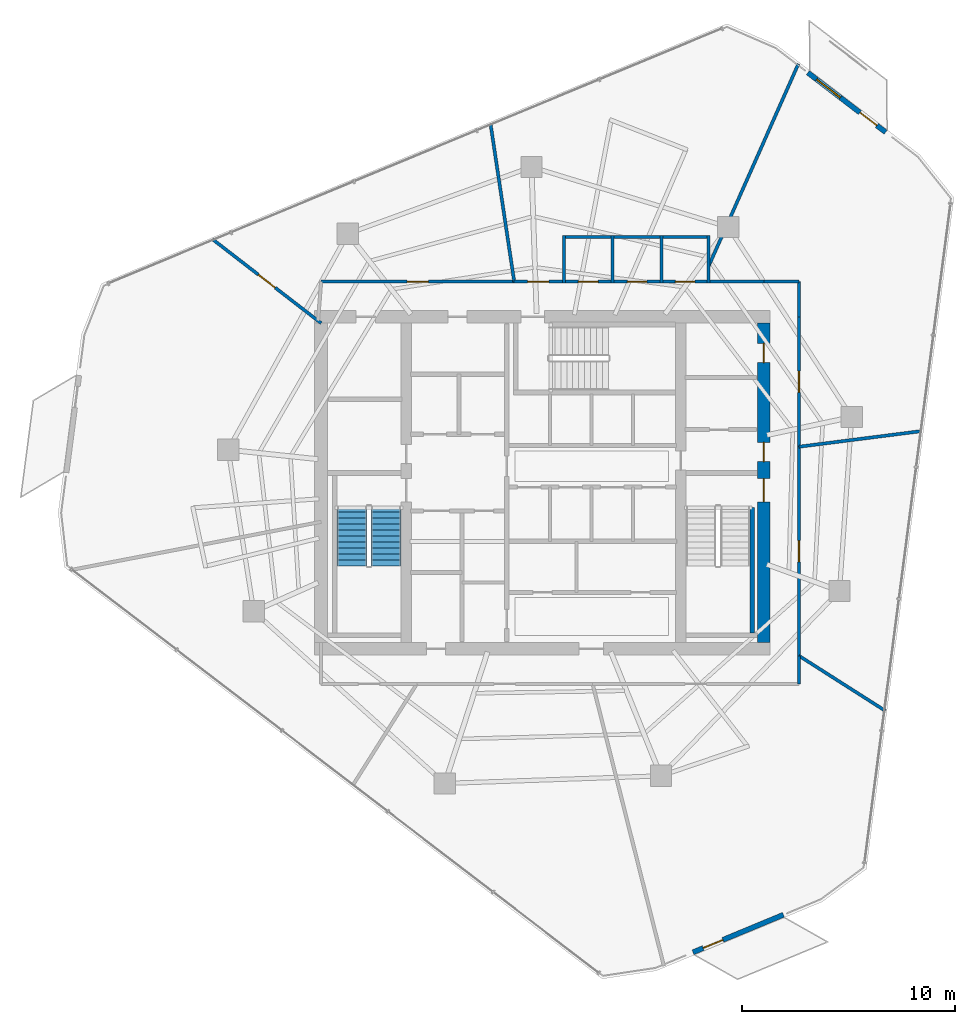
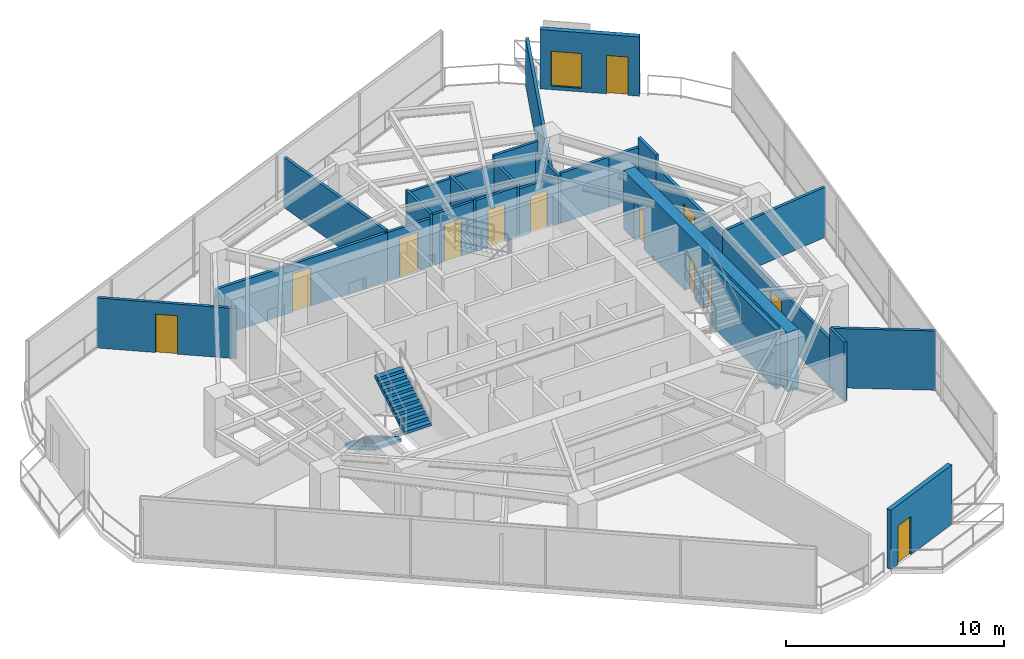
# One storey, part 17 of 20: 27 walls, 13 doors, 2 stair flights, 1 window, 14 openings, 1 element without a shape of its own.
"""IFC4 building model written with IfcOpenShell, lengths in metres."""

from ifc_helpers import new_model, si_unit, direction, frame, frame_2d, origin, place, context, subcontext, project, spatial, polyline, rectangle, outline, extrude, material, layer, layer_set, type_object, element, fill, aggregate, save


model = new_model("IFC4")

# Units and contexts
model_context = context("Model", 3, precision=1e-05, world=origin(), true_north=direction((0.0, 1.0)))
body_context = subcontext(model_context, "Body", "Model", "MODEL_VIEW")
ifc_project = project(units=[si_unit("LENGTHUNIT", "METRE"), si_unit("AREAUNIT", "SQUARE_METRE"), si_unit("VOLUMEUNIT", "CUBIC_METRE"), si_unit("PLANEANGLEUNIT", "RADIAN"), si_unit("MASSUNIT", "GRAM", prefix="KILO")], contexts=[model_context])

# Site, building, storey
site_placement = place(None, origin())
site = spatial("IfcSite", under=ifc_project, at=site_placement, CompositionType="ELEMENT")
building_placement = place(site_placement, origin())
building = spatial("IfcBuilding", under=site, at=building_placement, Name="Qarnah Convention Tower", CompositionType="ELEMENT")
storey_placement = place(building_placement, frame((0.0, 0.0, 150.89990234375)))
storey = spatial("IfcBuildingStorey", under=building, at=storey_placement, Name="L40", CompositionType="ELEMENT", Elevation=150.89990234375)

# Wall, openings, doors
ifc_material_1 = material(Name="Concrete C60/75", Category="concrete")
ifc_layer_1 = layer(ifc_material_1, 0.60009765625)
ifc_layer_set_1 = layer_set([ifc_layer_1], Name="Concrete C60/75")
wall_type_1 = type_object("IfcWallType", Name="WL-CORE-600", PredefinedType="SHEAR", material=ifc_layer_set_1)
wall_1_placement = place(storey_placement, frame((47.60009765625, 18.89990234375, 0.0), z_axis=(0.0, 0.0, 1.0), x_axis=(0.0, 1.0, 0.0)))
wall_1 = element("IfcWall", 1, at=wall_1_placement, inside=storey, type_object=wall_type_1, Name="L40 core east shear wall", PredefinedType="SHEAR", context=body_context, shape_type="SweptSolid", body=[
    extrude(rectangle(XDim=15.0, YDim=0.60009765625, at=frame_2d((7.5, 0.0))), origin(), (0.0, 0.0, 1.0), 3.320068359375),
])
opening_1_placement = place(wall_1_placement, frame((6.60009765625, 0.0, 0.0)))
opening_1 = element("IfcOpeningElement", 2, at=opening_1_placement, cuts=wall_1, Name="Opening D-4002", PredefinedType="OPENING", context=body_context, shape_type="SweptSolid", body=[
    extrude(rectangle(XDim=1.10009765625, YDim=2.14990234375, at=frame_2d((0.550048828125, 1.074951171875))), frame((0.0, 0.31005859375, 0.0), z_axis=(0.0, -1.0, 0.0), x_axis=(1.0, 0.0, 0.0)), (0.0, 0.0, 1.0), 0.6201171875),
])
opening_2_placement = place(wall_1_placement, frame((8.5, 0.0, 0.0)))
opening_2 = element("IfcOpeningElement", 3, at=opening_2_placement, cuts=wall_1, Name="Opening D-4006", PredefinedType="OPENING", context=body_context, shape_type="SweptSolid", body=[
    extrude(rectangle(XDim=0.89990234375, YDim=2.10009765625, at=frame_2d((0.449951171875, 1.050048828125))), frame((0.0, 0.31005859375, 0.0), z_axis=(0.0, -1.0, 0.0), x_axis=(1.0, 0.0, 0.0)), (0.0, 0.0, 1.0), 0.6201171875),
])
opening_3_placement = place(wall_1_placement, frame((13.14990234375, 0.0, 0.0)))
opening_3 = element("IfcOpeningElement", 4, at=opening_3_placement, cuts=wall_1, Name="Opening D-4012", PredefinedType="OPENING", context=body_context, shape_type="SweptSolid", body=[
    extrude(rectangle(XDim=0.89990234375, YDim=2.10009765625, at=frame_2d((0.449951171875, 1.050048828125))), frame((0.0, 0.31005859375, 0.0), z_axis=(0.0, -1.0, 0.0), x_axis=(1.0, 0.0, 0.0)), (0.0, 0.0, 1.0), 0.6201171875),
])
ifc_material_2 = material(Name="Structural steel S355JR", Category="steel")
door_type_1 = type_object("IfcDoorType", Name="DT-RISER-900", OperationType="NOTDEFINED", PredefinedType="DOOR", material=ifc_material_2)
door_1_placement = place(opening_2_placement, origin())
door_1 = element("IfcDoor", 5, at=door_1_placement, inside=storey, type_object=door_type_1, Name="Door D-4006", OperationType="SINGLE_SWING_LEFT", OverallHeight=2.10009765625, OverallWidth=0.89990234375, PredefinedType="DOOR", context=body_context, shape_type="SweptSolid", body=[
    extrude(rectangle(XDim=0.89990234375, YDim=2.10009765625, at=frame_2d((0.449951171875, 1.050048828125))), frame((0.0, 0.02490234375, 0.0), z_axis=(0.0, -1.0, 0.0), x_axis=(1.0, 0.0, 0.0)), (0.0, 0.0, 1.0), 0.050048828125),
])
fill(opening_2, door_1)
door_2_placement = place(opening_3_placement, origin())
door_2 = element("IfcDoor", 6, at=door_2_placement, inside=storey, type_object=door_type_1, Name="Door D-4012", OperationType="SINGLE_SWING_LEFT", OverallHeight=2.10009765625, OverallWidth=0.89990234375, PredefinedType="DOOR", context=body_context, shape_type="SweptSolid", body=[
    extrude(rectangle(XDim=0.89990234375, YDim=2.10009765625, at=frame_2d((0.449951171875, 1.050048828125))), frame((0.0, 0.02490234375, 0.0), z_axis=(0.0, -1.0, 0.0), x_axis=(1.0, 0.0, 0.0)), (0.0, 0.0, 1.0), 0.050048828125),
])
fill(opening_3, door_2)
door_type_2 = type_object("IfcDoorType", Name="DT-STAIR-1100", OperationType="NOTDEFINED", PredefinedType="DOOR", material=ifc_material_2)
door_3_placement = place(opening_1_placement, origin())
door_3 = element("IfcDoor", 7, at=door_3_placement, inside=storey, type_object=door_type_2, Name="Door D-4002", OperationType="SINGLE_SWING_LEFT", OverallHeight=2.14990234375, OverallWidth=1.10009765625, PredefinedType="DOOR", context=body_context, shape_type="SweptSolid", body=[
    extrude(rectangle(XDim=1.10009765625, YDim=2.14990234375, at=frame_2d((0.550048828125, 1.074951171875))), frame((0.0, 0.02490234375, 0.0), z_axis=(0.0, -1.0, 0.0), x_axis=(1.0, 0.0, 0.0)), (0.0, 0.0, 1.0), 0.050048828125),
])
fill(opening_1, door_3)

# Wall
ifc_layer_2 = layer(ifc_material_1, 0.219970703125)
ifc_layer_set_2 = layer_set([ifc_layer_2], Name="Concrete C60/75")
wall_type_2 = type_object("IfcWallType", Name="WL-CORE-STAIR-220", PredefinedType="SHEAR", material=ifc_layer_set_2)
wall_2_placement = place(storey_placement, frame((47.06005859375, 19.35009765625, 0.0), z_axis=(0.0, 0.0, 1.0), x_axis=(0.0, 1.0, 0.0)))
element("IfcWall", 8, at=wall_2_placement, inside=storey, type_object=wall_type_2, Name="L40 stair shaft shear wall SW-L40-ST2E", PredefinedType="SHEAR", context=body_context, shape_type="SweptSolid", body=[
    extrude(rectangle(XDim=5.89990234375, YDim=0.219970703125, at=frame_2d((2.949951171875, 0.0))), origin(), (0.0, 0.0, 1.0), 3.320068359375),
])

# Wall, openings, door, window
ifc_material_3 = material(Name="Precast concrete C45/55", Category="concrete")
ifc_layer_3 = layer(ifc_material_3, 0.239990234375)
ifc_layer_set_3 = layer_set([ifc_layer_3], Name="Precast concrete C45/55")
wall_type_3 = type_object("IfcWallType", Name="WL-EXT-BAL-240", PredefinedType="SOLIDWALL", material=ifc_layer_set_3)
wall_3_placement = place(storey_placement, frame((49.6669921875, 45.6669921875, 0.0), z_axis=(0.0, 0.0, 1.0), x_axis=(0.7940067552, -0.607908934543, 0.0)))
wall_3 = element("IfcWall", 9, at=wall_3_placement, inside=storey, type_object=wall_type_3, Name="L40 loggia threshold wall BAL-L40-C1", PredefinedType="SOLIDWALL", context=body_context, shape_type="SweptSolid", body=[
    extrude(rectangle(XDim=4.600830078125, YDim=0.239990234375, at=frame_2d((2.30029296875, 0.0))), origin(), (0.0, 0.0, 1.0), 3.320068359375),
])
opening_4_placement = place(wall_3_placement, frame((3.0810546875, 0.0, 0.0)))
opening_4 = element("IfcOpeningElement", 10, at=opening_4_placement, cuts=wall_3, Name="Opening BD-4001", PredefinedType="OPENING", context=body_context, shape_type="SweptSolid", body=[
    extrude(rectangle(XDim=1.0, YDim=2.14990234375, at=frame_2d((0.5, 1.074951171875))), frame((0.0, 0.1298828125, 0.0), z_axis=(0.0, -1.0, 0.0), x_axis=(1.0, 0.0, 0.0)), (0.0, 0.0, 1.0), 0.260009765625),
])
opening_5_placement = place(wall_3_placement, frame((0.52001953125, 0.0, 0.199951171875)))
opening_5 = element("IfcOpeningElement", 11, at=opening_5_placement, cuts=wall_3, Name="Opening WN4", PredefinedType="OPENING", context=body_context, shape_type="SweptSolid", body=[
    extrude(rectangle(XDim=1.39990234375, YDim=1.949951171875, at=frame_2d((0.699951171875, 0.97509765625))), frame((0.0, 0.1298828125, 0.0), z_axis=(0.0, -1.0, 0.0), x_axis=(1.0, 0.0, 0.0)), (0.0, 0.0, 1.0), 0.260009765625),
])
ifc_material_4 = material(Name="Black anodised aluminium", Category="aluminium")
door_type_3 = type_object("IfcDoorType", Name="DT-BAL-1000", OperationType="NOTDEFINED", PredefinedType="DOOR", material=ifc_material_4)
door_4_placement = place(opening_4_placement, origin())
door_4 = element("IfcDoor", 12, at=door_4_placement, inside=storey, type_object=door_type_3, Name="L40 balcony terrace door BAL-L40-C1", OperationType="SINGLE_SWING_LEFT", OverallHeight=2.14990234375, OverallWidth=1.0, PredefinedType="DOOR", context=body_context, shape_type="SweptSolid", body=[
    extrude(rectangle(XDim=1.0, YDim=2.14990234375, at=frame_2d((0.5, 1.074951171875))), frame((0.0, 0.02490234375, 0.0), z_axis=(0.0, -1.0, 0.0), x_axis=(1.0, 0.0, 0.0)), (0.0, 0.0, 1.0), 0.050048828125),
])
fill(opening_4, door_4)
ifc_material_5 = material(Name="Tempered Low-E dark glass", Category="glass")
window_type = type_object("IfcWindowType", Name="WT-BAL-1400X2000", PartitioningType="SINGLE_PANEL", PredefinedType="WINDOW", material=ifc_material_5)
window_placement = place(opening_5_placement, origin())
window = element("IfcWindow", 13, at=window_placement, inside=storey, type_object=window_type, Name="Window BW-BAL-L40-C1", OverallHeight=1.949951171875, OverallWidth=1.39990234375, PartitioningType="SINGLE_PANEL", PredefinedType="WINDOW", context=body_context, shape_type="SweptSolid", body=[
    extrude(rectangle(XDim=1.39990234375, YDim=1.949951171875, at=frame_2d((0.699951171875, 0.97509765625))), frame((0.0, 0.030029296875, 0.0), z_axis=(0.0, -1.0, 0.0), x_axis=(1.0, 0.0, 0.0)), (0.0, 0.0, 1.0), 0.06005859375),
])
fill(opening_5, window)

# Wall, opening, door
wall_4_placement = place(storey_placement, frame((48.51904296875, 6.10595703125, 0.0), z_axis=(0.0, 0.0, 1.0), x_axis=(-0.92354733211, -0.383484452557, 0.0)))
wall_4 = element("IfcWall", 14, at=wall_4_placement, inside=storey, type_object=wall_type_3, Name="L40 loggia threshold wall BAL-L40-C3", PredefinedType="SOLIDWALL", context=body_context, shape_type="SweptSolid", body=[
    extrude(rectangle(XDim=4.599609375, YDim=0.239990234375, at=frame_2d((2.2998046875, 0.0))), origin(), (0.0, 0.0, 1.0), 3.320068359375),
])
opening_6_placement = place(wall_4_placement, frame((3.080078125, 0.0, 0.0)))
opening_6 = element("IfcOpeningElement", 15, at=opening_6_placement, cuts=wall_4, Name="Opening BD-4003", PredefinedType="OPENING", context=body_context, shape_type="SweptSolid", body=[
    extrude(rectangle(XDim=1.0, YDim=2.14990234375, at=frame_2d((0.5, 1.074951171875))), frame((0.0, 0.1298828125, 0.0), z_axis=(0.0, -1.0, 0.0), x_axis=(1.0, 0.0, 0.0)), (0.0, 0.0, 1.0), 0.260009765625),
])
door_5_placement = place(opening_6_placement, origin())
door_5 = element("IfcDoor", 16, at=door_5_placement, inside=storey, type_object=door_type_3, Name="L40 balcony terrace door BAL-L40-C3", OperationType="SINGLE_SWING_LEFT", OverallHeight=2.14990234375, OverallWidth=1.0, PredefinedType="DOOR", context=body_context, shape_type="SweptSolid", body=[
    extrude(rectangle(XDim=1.0, YDim=2.14990234375, at=frame_2d((0.5, 1.074951171875))), frame((0.0, 0.02490234375, 0.0), z_axis=(0.0, -1.0, 0.0), x_axis=(1.0, 0.0, 0.0)), (0.0, 0.0, 1.0), 0.050048828125),
])
fill(opening_6, door_5)

# Walls
ifc_material_6 = material(Name="Gypsum partition board")
ifc_layer_4 = layer(ifc_material_6, 0.14990234375)
ifc_layer_set_4 = layer_set([ifc_layer_4], Name="Gypsum partition board")
wall_type_4 = type_object("IfcWallType", Name="WL-SUITE-150", PredefinedType="PARTITIONING", material=ifc_layer_set_4)
wall_5_placement = place(storey_placement, frame((49.222900390625, 46.0830078125, 0.0), z_axis=(0.0, 0.0, 1.0), x_axis=(-0.405479321108, -0.914104217337, 0.0)))
element("IfcWall", 17, at=wall_5_placement, inside=storey, type_object=wall_type_4, Name="L40 interior wall IW-L40-R-11", PredefinedType="PARTITIONING", context=body_context, shape_type="SweptSolid", body=[
    extrude(rectangle(XDim=10.41455078125, YDim=0.14990234375, at=frame_2d((5.207275390625, 0.0))), origin(), (0.0, 0.0, 1.0), 2.68701171875),
])
wall_6_placement = place(storey_placement, frame((45.070068359375, 35.85009765625, 0.0), z_axis=(0.0, 0.0, 1.0), x_axis=(1.0, 0.0, 0.0)))
element("IfcWall", 18, at=wall_6_placement, inside=storey, type_object=wall_type_4, Name="L40 interior wall IW-L40-R-12", PredefinedType="PARTITIONING", context=body_context, shape_type="SweptSolid", body=[
    extrude(rectangle(XDim=2.530029296875, YDim=0.14990234375, at=frame_2d((1.26513671875, 0.0))), origin(), (0.0, 0.0, 1.0), 2.80517578125),
])
wall_7_placement = place(storey_placement, frame((47.60009765625, 35.85009765625, 0.0), z_axis=(0.0, 0.0, 1.0), x_axis=(1.0, 0.0, 0.0)))
element("IfcWall", 19, at=wall_7_placement, inside=storey, type_object=wall_type_4, Name="L40 interior wall IW-L40-R-13", PredefinedType="PARTITIONING", context=body_context, shape_type="SweptSolid", body=[
    extrude(rectangle(XDim=1.64990234375, YDim=0.14990234375, at=frame_2d((0.824951171875, 0.0))), origin(), (0.0, 0.0, 1.0), 2.80517578125),
])
wall_8_placement = place(storey_placement, frame((49.25, 35.85009765625, 0.0), z_axis=(0.0, 0.0, 1.0), x_axis=(0.0, -1.0, 0.0)))
element("IfcWall", 20, at=wall_8_placement, inside=storey, type_object=wall_type_4, Name="L40 interior wall IW-L40-R-14", PredefinedType="PARTITIONING", context=body_context, shape_type="SweptSolid", body=[
    extrude(rectangle(XDim=1.650146484375, YDim=0.14990234375, at=frame_2d((0.8251953125, 0.0))), origin(), (0.0, 0.0, 1.0), 3.320068359375),
])

# Wall, opening, door
wall_9_placement = place(storey_placement, frame((49.25, 34.199951171875, 0.0), z_axis=(0.0, 0.0, 1.0), x_axis=(0.0, -1.0, 0.0)))
wall_9 = element("IfcWall", 21, at=wall_9_placement, inside=storey, type_object=wall_type_4, Name="L40 interior wall IW-L40-R-15", PredefinedType="PARTITIONING", context=body_context, shape_type="SweptSolid", body=[
    extrude(rectangle(XDim=6.10595703125, YDim=0.14990234375, at=frame_2d((3.052978515625, 0.0))), origin(), (0.0, 0.0, 1.0), 2.68701171875),
])
opening_7_placement = place(wall_9_placement, frame((2.552978515625, 0.0, 0.0)))
opening_7 = element("IfcOpeningElement", 22, at=opening_7_placement, cuts=wall_9, Name="Opening D-4021", PredefinedType="OPENING", context=body_context, shape_type="SweptSolid", body=[
    extrude(rectangle(XDim=1.0, YDim=2.14990234375, at=frame_2d((0.5, 1.074951171875))), frame((0.0, 0.0849609375, 0.0), z_axis=(0.0, -1.0, 0.0), x_axis=(1.0, 0.0, 0.0)), (0.0, 0.0, 1.0), 0.169921875),
])
ifc_material_7 = material(Name="Oak timber veneer", Category="wood")
door_type_4 = type_object("IfcDoorType", Name="DT-OFFICE-1000", OperationType="NOTDEFINED", PredefinedType="DOOR", material=ifc_material_7)
door_6_placement = place(opening_7_placement, origin())
door_6 = element("IfcDoor", 23, at=door_6_placement, inside=storey, type_object=door_type_4, Name="Door D-4021", OperationType="SINGLE_SWING_RIGHT", OverallHeight=2.14990234375, OverallWidth=1.0, PredefinedType="DOOR", context=body_context, shape_type="SweptSolid", body=[
    extrude(rectangle(XDim=1.0, YDim=2.14990234375, at=frame_2d((0.5, 1.074951171875))), frame((0.0, 0.02490234375, 0.0), z_axis=(0.0, -1.0, 0.0), x_axis=(1.0, 0.0, 0.0)), (0.0, 0.0, 1.0), 0.050048828125),
])
fill(opening_7, door_6)

# Walls
wall_10_placement = place(storey_placement, frame((49.25, 28.093994140625, 0.0), z_axis=(0.0, 0.0, 1.0), x_axis=(0.991968940411, 0.126481703262, 0.0)))
element("IfcWall", 24, at=wall_10_placement, inside=storey, type_object=wall_type_4, Name="L40 interior wall IW-L40-R-16", PredefinedType="PARTITIONING", context=body_context, shape_type="SweptSolid", body=[
    extrude(rectangle(XDim=5.819580078125, YDim=0.14990234375, at=frame_2d((2.90966796875, 0.0))), origin(), (0.0, 0.0, 1.0), 2.80517578125),
])
wall_11_placement = place(storey_placement, frame((34.758056640625, 43.27099609375, 0.0), z_axis=(0.0, 0.0, 1.0), x_axis=(0.148454998888, -0.988919164191, 0.0)))
element("IfcWall", 25, at=wall_11_placement, inside=storey, type_object=wall_type_4, Name="L40 interior wall IW-L40-R-17", PredefinedType="PARTITIONING", context=body_context, shape_type="SweptSolid", body=[
    extrude(rectangle(XDim=7.504150390625, YDim=0.14990234375, at=frame_2d((3.751953125, 0.0))), origin(), (0.0, 0.0, 1.0), 2.80517578125),
])

# Wall, opening, door
wall_12_placement = place(storey_placement, frame((35.8720703125, 35.85009765625, 0.0), z_axis=(0.0, 0.0, 1.0), x_axis=(1.0, 0.0, 0.0)))
wall_12 = element("IfcWall", 26, at=wall_12_placement, inside=storey, type_object=wall_type_4, Name="L40 interior wall IW-L40-R-18", PredefinedType="PARTITIONING", context=body_context, shape_type="SweptSolid", body=[
    extrude(rectangle(XDim=2.2578125, YDim=0.14990234375, at=frame_2d((1.12890625, 0.0))), origin(), (0.0, 0.0, 1.0), 2.68701171875),
])
opening_8_placement = place(wall_12_placement, frame((0.62890625, 0.0, 0.0)))
opening_8 = element("IfcOpeningElement", 27, at=opening_8_placement, cuts=wall_12, Name="Opening D-4022", PredefinedType="OPENING", context=body_context, shape_type="SweptSolid", body=[
    extrude(rectangle(XDim=1.0, YDim=2.14990234375, at=frame_2d((0.5, 1.074951171875))), frame((0.0, 0.0849609375, 0.0), z_axis=(0.0, -1.0, 0.0), x_axis=(1.0, 0.0, 0.0)), (0.0, 0.0, 1.0), 0.169921875),
])
door_7_placement = place(opening_8_placement, origin())
door_7 = element("IfcDoor", 28, at=door_7_placement, inside=storey, type_object=door_type_4, Name="Door D-4022", OperationType="SINGLE_SWING_LEFT", OverallHeight=2.14990234375, OverallWidth=1.0, PredefinedType="DOOR", context=body_context, shape_type="SweptSolid", body=[
    extrude(rectangle(XDim=1.0, YDim=2.14990234375, at=frame_2d((0.5, 1.074951171875))), frame((0.0, 0.02490234375, 0.0), z_axis=(0.0, -1.0, 0.0), x_axis=(1.0, 0.0, 0.0)), (0.0, 0.0, 1.0), 0.050048828125),
])
fill(opening_8, door_7)

wall_13_placement = place(storey_placement, frame((21.68701171875, 37.85009765625, 0.0), z_axis=(0.0, 0.0, 1.0), x_axis=(0.791343998005, -0.611371144904, 0.0)))
wall_13 = element("IfcWall", 29, at=wall_13_placement, inside=storey, type_object=wall_type_4, Name="L40 interior wall IW-L40-R-19", PredefinedType="PARTITIONING", context=body_context, shape_type="SweptSolid", body=[
    extrude(rectangle(XDim=6.461181640625, YDim=0.14990234375, at=frame_2d((3.23046875, 0.0))), origin(), (0.0, 0.0, 1.0), 2.80517578125),
])
opening_9_placement = place(wall_13_placement, frame((2.73095703125, 0.0, 0.0)))
opening_9 = element("IfcOpeningElement", 30, at=opening_9_placement, cuts=wall_13, Name="Opening D-4024", PredefinedType="OPENING", context=body_context, shape_type="SweptSolid", body=[
    extrude(rectangle(XDim=1.0, YDim=2.14990234375, at=frame_2d((0.5, 1.074951171875))), frame((0.0, 0.0849609375, 0.0), z_axis=(0.0, -1.0, 0.0), x_axis=(1.0, 0.0, 0.0)), (0.0, 0.0, 1.0), 0.169921875),
])
door_8_placement = place(opening_9_placement, origin())
door_8 = element("IfcDoor", 31, at=door_8_placement, inside=storey, type_object=door_type_4, Name="Door D-4024", OperationType="SINGLE_SWING_LEFT", OverallHeight=2.14990234375, OverallWidth=1.0, PredefinedType="DOOR", context=body_context, shape_type="SweptSolid", body=[
    extrude(rectangle(XDim=1.0, YDim=2.14990234375, at=frame_2d((0.5, 1.074951171875))), frame((0.0, 0.02490234375, 0.0), z_axis=(0.0, -1.0, 0.0), x_axis=(1.0, 0.0, 0.0)), (0.0, 0.0, 1.0), 0.050048828125),
])
fill(opening_9, door_8)

wall_14_placement = place(storey_placement, frame((26.800048828125, 35.85009765625, 0.0), z_axis=(0.0, 0.0, 1.0), x_axis=(1.0, 0.0, 0.0)))
wall_14 = element("IfcWall", 32, at=wall_14_placement, inside=storey, type_object=wall_type_4, Name="L40 interior wall IW-L40-R-21", PredefinedType="PARTITIONING", context=body_context, shape_type="SweptSolid", body=[
    extrude(rectangle(XDim=9.072021484375, YDim=0.14990234375, at=frame_2d((4.5361328125, 0.0))), origin(), (0.0, 0.0, 1.0), 2.68701171875),
])
opening_10_placement = place(wall_14_placement, frame((4.035888671875, 0.0, 0.0)))
opening_10 = element("IfcOpeningElement", 33, at=opening_10_placement, cuts=wall_14, Name="Opening D-4023", PredefinedType="OPENING", context=body_context, shape_type="SweptSolid", body=[
    extrude(rectangle(XDim=1.0, YDim=2.14990234375, at=frame_2d((0.5, 1.074951171875))), frame((0.0, 0.0849609375, 0.0), z_axis=(0.0, -1.0, 0.0), x_axis=(1.0, 0.0, 0.0)), (0.0, 0.0, 1.0), 0.169921875),
])
door_9_placement = place(opening_10_placement, origin())
door_9 = element("IfcDoor", 34, at=door_9_placement, inside=storey, type_object=door_type_4, Name="Door D-4023", OperationType="SINGLE_SWING_RIGHT", OverallHeight=2.14990234375, OverallWidth=1.0, PredefinedType="DOOR", context=body_context, shape_type="SweptSolid", body=[
    extrude(rectangle(XDim=1.0, YDim=2.14990234375, at=frame_2d((0.5, 1.074951171875))), frame((0.0, 0.02490234375, 0.0), z_axis=(0.0, -1.0, 0.0), x_axis=(1.0, 0.0, 0.0)), (0.0, 0.0, 1.0), 0.050048828125),
])
fill(opening_10, door_9)

# Walls
wall_15_placement = place(storey_placement, frame((53.31201171875, 15.68310546875, 0.0), z_axis=(0.0, 0.0, 1.0), x_axis=(-0.843289797716, 0.537459130603, 0.0)))
element("IfcWall", 35, at=wall_15_placement, inside=storey, type_object=wall_type_4, Name="L40 interior wall IW-L40-R-28", PredefinedType="PARTITIONING", context=body_context, shape_type="SweptSolid", body=[
    extrude(rectangle(XDim=4.81689453125, YDim=0.14990234375, at=frame_2d((2.408447265625, 0.0))), origin(), (0.0, 0.0, 1.0), 3.320068359375),
])
wall_16_placement = place(storey_placement, frame((49.25, 18.27197265625, 0.0), z_axis=(0.0, 0.0, 1.0), x_axis=(0.0, -1.0, 0.0)))
element("IfcWall", 36, at=wall_16_placement, inside=storey, type_object=wall_type_4, Name="L40 interior wall IW-L40-R-29", PredefinedType="PARTITIONING", context=body_context, shape_type="SweptSolid", body=[
    extrude(rectangle(XDim=1.322021484375, YDim=0.14990234375, at=frame_2d((0.6611328125, 0.0))), origin(), (0.0, 0.0, 1.0), 3.320068359375),
])

# Wall, opening, door
wall_17_placement = place(storey_placement, frame((49.25, 28.093994140625, 0.0), z_axis=(0.0, 0.0, 1.0), x_axis=(0.0, -1.0, 0.0)))
wall_17 = element("IfcWall", 37, at=wall_17_placement, inside=storey, type_object=wall_type_4, Name="L40 interior wall IW-L40-R-31", PredefinedType="PARTITIONING", context=body_context, shape_type="SweptSolid", body=[
    extrude(rectangle(XDim=9.822021484375, YDim=0.14990234375, at=frame_2d((4.9111328125, 0.0))), origin(), (0.0, 0.0, 1.0), 2.68701171875),
])
opening_11_placement = place(wall_17_placement, frame((4.410888671875, 0.0, 0.0)))
opening_11 = element("IfcOpeningElement", 38, at=opening_11_placement, cuts=wall_17, Name="Opening D-4028", PredefinedType="OPENING", context=body_context, shape_type="SweptSolid", body=[
    extrude(rectangle(XDim=1.0, YDim=2.14990234375, at=frame_2d((0.5, 1.074951171875))), frame((0.0, 0.0849609375, 0.0), z_axis=(0.0, -1.0, 0.0), x_axis=(1.0, 0.0, 0.0)), (0.0, 0.0, 1.0), 0.169921875),
])
door_10_placement = place(opening_11_placement, origin())
door_10 = element("IfcDoor", 39, at=door_10_placement, inside=storey, type_object=door_type_4, Name="Door D-4028", OperationType="SINGLE_SWING_LEFT", OverallHeight=2.14990234375, OverallWidth=1.0, PredefinedType="DOOR", context=body_context, shape_type="SweptSolid", body=[
    extrude(rectangle(XDim=1.0, YDim=2.14990234375, at=frame_2d((0.5, 1.074951171875))), frame((0.0, 0.02490234375, 0.0), z_axis=(0.0, -1.0, 0.0), x_axis=(1.0, 0.0, 0.0)), (0.0, 0.0, 1.0), 0.050048828125),
])
fill(opening_11, door_10)

ifc_layer_5 = layer(ifc_material_6, 0.139892578125)
ifc_layer_set_5 = layer_set([ifc_layer_5], Name="Gypsum partition board")
wall_type_5 = type_object("IfcWallType", Name="WL-WET-140", PredefinedType="PARTITIONING", material=ifc_layer_set_5)
wall_18_placement = place(storey_placement, frame((38.1298828125, 35.85009765625, 0.0), z_axis=(0.0, 0.0, 1.0), x_axis=(1.0, 0.0, 0.0)))
wall_18 = element("IfcWall", 40, at=wall_18_placement, inside=storey, type_object=wall_type_5, Name="L40 interior wall IW-L40-WCM-1", PredefinedType="PARTITIONING", context=body_context, shape_type="SweptSolid", body=[
    extrude(rectangle(XDim=2.440185546875, YDim=0.139892578125, at=frame_2d((1.22021484375, 0.0))), origin(), (0.0, 0.0, 1.0), 2.841064453125),
])
opening_12_placement = place(wall_18_placement, frame((0.760009765625, 0.0, 0.0)))
opening_12 = element("IfcOpeningElement", 41, at=opening_12_placement, cuts=wall_18, Name="Opening D-4018", PredefinedType="OPENING", context=body_context, shape_type="SweptSolid", body=[
    extrude(rectangle(XDim=0.919921875, YDim=2.10009765625, at=frame_2d((0.4599609375, 1.050048828125))), frame((0.0, 0.079833984375, 0.0), z_axis=(0.0, -1.0, 0.0), x_axis=(1.0, 0.0, 0.0)), (0.0, 0.0, 1.0), 0.159912109375),
])
door_type_5 = type_object("IfcDoorType", Name="DT-WC-920", OperationType="NOTDEFINED", PredefinedType="DOOR", material=ifc_material_7)
door_11_placement = place(opening_12_placement, origin())
door_11 = element("IfcDoor", 42, at=door_11_placement, inside=storey, type_object=door_type_5, Name="Door D-4018", OperationType="SINGLE_SWING_LEFT", OverallHeight=2.10009765625, OverallWidth=0.919921875, PredefinedType="DOOR", context=body_context, shape_type="SweptSolid", body=[
    extrude(rectangle(XDim=0.919921875, YDim=2.10009765625, at=frame_2d((0.4599609375, 1.050048828125))), frame((0.0, 0.02490234375, 0.0), z_axis=(0.0, -1.0, 0.0), x_axis=(1.0, 0.0, 0.0)), (0.0, 0.0, 1.0), 0.050048828125),
])
fill(opening_12, door_11)

# Walls
wall_19_placement = place(storey_placement, frame((40.5, 35.780029296875, 0.0), z_axis=(0.0, 0.0, 1.0), x_axis=(0.0, 1.0, 0.0)))
element("IfcWall", 43, at=wall_19_placement, inside=storey, type_object=wall_type_5, Name="L40 interior wall IW-L40-WCM-2", PredefinedType="PARTITIONING", context=body_context, shape_type="SweptSolid", body=[
    extrude(rectangle(XDim=2.239990234375, YDim=0.139892578125, at=frame_2d((1.1201171875, 0.0))), origin(), (0.0, 0.0, 1.0), 2.94921875),
])
wall_20_placement = place(storey_placement, frame((40.570068359375, 37.949951171875, 0.0), z_axis=(0.0, 0.0, 1.0), x_axis=(-1.0, 0.0, 0.0)))
element("IfcWall", 44, at=wall_20_placement, inside=storey, type_object=wall_type_5, Name="L40 interior wall IW-L40-WCM-3", PredefinedType="PARTITIONING", context=body_context, shape_type="SweptSolid", body=[
    extrude(rectangle(XDim=2.440185546875, YDim=0.139892578125, at=frame_2d((1.22021484375, 0.0))), origin(), (0.0, 0.0, 1.0), 2.841064453125),
])
wall_21_placement = place(storey_placement, frame((38.199951171875, 38.02001953125, 0.0), z_axis=(0.0, 0.0, 1.0), x_axis=(0.0, -1.0, 0.0)))
element("IfcWall", 45, at=wall_21_placement, inside=storey, type_object=wall_type_5, Name="L40 interior wall IW-L40-WCM-4", PredefinedType="PARTITIONING", context=body_context, shape_type="SweptSolid", body=[
    extrude(rectangle(XDim=2.239990234375, YDim=0.139892578125, at=frame_2d((1.1201171875, 0.0))), origin(), (0.0, 0.0, 1.0), 2.94921875),
])

# Wall, opening, door
wall_22_placement = place(storey_placement, frame((40.429931640625, 35.85009765625, 0.0), z_axis=(0.0, 0.0, 1.0), x_axis=(1.0, 0.0, 0.0)))
wall_22 = element("IfcWall", 46, at=wall_22_placement, inside=storey, type_object=wall_type_5, Name="L40 interior wall IW-L40-WCF-1", PredefinedType="PARTITIONING", context=body_context, shape_type="SweptSolid", body=[
    extrude(rectangle(XDim=2.440185546875, YDim=0.139892578125, at=frame_2d((1.22021484375, 0.0))), origin(), (0.0, 0.0, 1.0), 2.841064453125),
])
opening_13_placement = place(wall_22_placement, frame((0.760009765625, 0.0, 0.0)))
opening_13 = element("IfcOpeningElement", 47, at=opening_13_placement, cuts=wall_22, Name="Opening D-4019", PredefinedType="OPENING", context=body_context, shape_type="SweptSolid", body=[
    extrude(rectangle(XDim=0.919921875, YDim=2.10009765625, at=frame_2d((0.4599609375, 1.050048828125))), frame((0.0, 0.079833984375, 0.0), z_axis=(0.0, -1.0, 0.0), x_axis=(1.0, 0.0, 0.0)), (0.0, 0.0, 1.0), 0.159912109375),
])
door_12_placement = place(opening_13_placement, origin())
door_12 = element("IfcDoor", 48, at=door_12_placement, inside=storey, type_object=door_type_5, Name="Door D-4019", OperationType="SINGLE_SWING_RIGHT", OverallHeight=2.10009765625, OverallWidth=0.919921875, PredefinedType="DOOR", context=body_context, shape_type="SweptSolid", body=[
    extrude(rectangle(XDim=0.919921875, YDim=2.10009765625, at=frame_2d((0.4599609375, 1.050048828125))), frame((0.0, 0.02490234375, 0.0), z_axis=(0.0, -1.0, 0.0), x_axis=(1.0, 0.0, 0.0)), (0.0, 0.0, 1.0), 0.050048828125),
])
fill(opening_13, door_12)

# Walls
wall_23_placement = place(storey_placement, frame((42.800048828125, 35.780029296875, 0.0), z_axis=(0.0, 0.0, 1.0), x_axis=(0.0, 1.0, 0.0)))
element("IfcWall", 49, at=wall_23_placement, inside=storey, type_object=wall_type_5, Name="L40 interior wall IW-L40-WCF-2", PredefinedType="PARTITIONING", context=body_context, shape_type="SweptSolid", body=[
    extrude(rectangle(XDim=2.239990234375, YDim=0.139892578125, at=frame_2d((1.1201171875, 0.0))), origin(), (0.0, 0.0, 1.0), 2.94921875),
])
wall_24_placement = place(storey_placement, frame((42.8701171875, 37.949951171875, 0.0), z_axis=(0.0, 0.0, 1.0), x_axis=(-1.0, 0.0, 0.0)))
element("IfcWall", 50, at=wall_24_placement, inside=storey, type_object=wall_type_5, Name="L40 interior wall IW-L40-WCF-3", PredefinedType="PARTITIONING", context=body_context, shape_type="SweptSolid", body=[
    extrude(rectangle(XDim=2.440185546875, YDim=0.139892578125, at=frame_2d((1.22021484375, 0.0))), origin(), (0.0, 0.0, 1.0), 2.841064453125),
])

# Wall, opening, door
wall_25_placement = place(storey_placement, frame((42.72998046875, 35.85009765625, 0.0), z_axis=(0.0, 0.0, 1.0), x_axis=(1.0, 0.0, 0.0)))
wall_25 = element("IfcWall", 51, at=wall_25_placement, inside=storey, type_object=wall_type_5, Name="L40 interior wall IW-L40-WCA-1", PredefinedType="PARTITIONING", context=body_context, shape_type="SweptSolid", body=[
    extrude(rectangle(XDim=2.340087890625, YDim=0.139892578125, at=frame_2d((1.169921875, 0.0))), origin(), (0.0, 0.0, 1.0), 2.68701171875),
])
opening_14_placement = place(wall_25_placement, frame((0.7099609375, 0.0, 0.0)))
opening_14 = element("IfcOpeningElement", 52, at=opening_14_placement, cuts=wall_25, Name="Opening D-4020", PredefinedType="OPENING", context=body_context, shape_type="SweptSolid", body=[
    extrude(rectangle(XDim=0.919921875, YDim=2.10009765625, at=frame_2d((0.4599609375, 1.050048828125))), frame((0.0, 0.079833984375, 0.0), z_axis=(0.0, -1.0, 0.0), x_axis=(1.0, 0.0, 0.0)), (0.0, 0.0, 1.0), 0.159912109375),
])
door_13_placement = place(opening_14_placement, origin())
door_13 = element("IfcDoor", 53, at=door_13_placement, inside=storey, type_object=door_type_5, Name="Door D-4020", OperationType="SINGLE_SWING_LEFT", OverallHeight=2.10009765625, OverallWidth=0.919921875, PredefinedType="DOOR", context=body_context, shape_type="SweptSolid", body=[
    extrude(rectangle(XDim=0.919921875, YDim=2.10009765625, at=frame_2d((0.4599609375, 1.050048828125))), frame((0.0, 0.02490234375, 0.0), z_axis=(0.0, -1.0, 0.0), x_axis=(1.0, 0.0, 0.0)), (0.0, 0.0, 1.0), 0.050048828125),
])
fill(opening_14, door_13)

# Walls
wall_26_placement = place(storey_placement, frame((45.0, 35.780029296875, 0.0), z_axis=(0.0, 0.0, 1.0), x_axis=(0.0, 1.0, 0.0)))
element("IfcWall", 54, at=wall_26_placement, inside=storey, type_object=wall_type_5, Name="L40 interior wall IW-L40-WCA-2", PredefinedType="PARTITIONING", context=body_context, shape_type="SweptSolid", body=[
    extrude(rectangle(XDim=2.239990234375, YDim=0.139892578125, at=frame_2d((1.1201171875, 0.0))), origin(), (0.0, 0.0, 1.0), 2.68701171875),
])
wall_27_placement = place(storey_placement, frame((45.070068359375, 37.949951171875, 0.0), z_axis=(0.0, 0.0, 1.0), x_axis=(-1.0, 0.0, 0.0)))
element("IfcWall", 55, at=wall_27_placement, inside=storey, type_object=wall_type_5, Name="L40 interior wall IW-L40-WCA-3", PredefinedType="PARTITIONING", context=body_context, shape_type="SweptSolid", body=[
    extrude(rectangle(XDim=2.340087890625, YDim=0.139892578125, at=frame_2d((1.169921875, 0.0))), origin(), (0.0, 0.0, 1.0), 3.320068359375),
])

# Stair, stair flights
ifc_material_8 = material(Name="Concrete C50/60", Category="concrete")
stair_type = type_object("IfcStairType", Name="STR-OFF", PredefinedType="HALF_TURN_STAIR", material=ifc_material_8)
stair_placement = place(storey_placement, origin())
stair = element("IfcStair", 56, at=stair_placement, inside=storey, type_object=stair_type, Name="L40 Core exit stair ST-1", PredefinedType="HALF_TURN_STAIR")
stair_flight_type = type_object("IfcStairFlightType", Name="FLT-OFF", PredefinedType="STRAIGHT", material=ifc_material_8)
stair_flight_1_placement = place(storey_placement, frame((28.25, 25.300048828125, 0.0), z_axis=(0.0, 0.0, 1.0), x_axis=(0.0, -1.0, 0.0)))
stair_flight_1 = element("IfcStairFlight", 57, at=stair_flight_1_placement, type_object=stair_flight_type, Name="ST-1 flight 1", NumberOfRisers=11, NumberOfTreads=10, PredefinedType="STRAIGHT", RiserHeight=0.163636364, TreadLength=0.28, context=body_context, shape_type="SweptSolid", body=[
    extrude(outline(polyline([(0.0, 0.0), (0.0, 0.16357421875), (0.280029296875, 0.16357421875), (0.280029296875, 0.327392578125), (0.56005859375, 0.327392578125), (0.56005859375, 0.490966796875), (0.840087890625, 0.490966796875), (0.840087890625, 0.654541015625), (1.1201171875, 0.654541015625), (1.1201171875, 0.818115234375), (1.39990234375, 0.818115234375), (1.39990234375, 0.98193359375), (1.679931640625, 0.98193359375), (1.679931640625, 1.1455078125), (1.9599609375, 1.1455078125), (1.9599609375, 1.30908203125), (2.239990234375, 1.30908203125), (2.239990234375, 1.47265625), (2.52001953125, 1.47265625), (2.52001953125, 1.636474609375), (2.800048828125, 1.636474609375), (2.800048828125, 1.800048828125), (2.800048828125, 1.462646484375), (0.297119140625, 0.0), (0.0, 0.0)])), frame((0.0, 0.699951171875, 0.0), z_axis=(0.0, -1.0, 0.0), x_axis=(1.0, 0.0, 0.0)), (0.0, 0.0, 1.0), 1.39990234375),
])
stair_flight_2_placement = place(storey_placement, frame((29.85009765625, 22.5, 1.800048828125), z_axis=(0.0, 0.0, 1.0), x_axis=(0.0, 1.0, 0.0)))
stair_flight_2 = element("IfcStairFlight", 58, at=stair_flight_2_placement, type_object=stair_flight_type, Name="ST-1 flight 2", NumberOfRisers=11, NumberOfTreads=10, PredefinedType="STRAIGHT", RiserHeight=0.163636364, TreadLength=0.28, context=body_context, shape_type="SweptSolid", body=[
    extrude(outline(polyline([(0.0, 0.0), (0.0, 0.16357421875), (0.280029296875, 0.16357421875), (0.280029296875, 0.327392578125), (0.56005859375, 0.327392578125), (0.56005859375, 0.490966796875), (0.840087890625, 0.490966796875), (0.840087890625, 0.654541015625), (1.1201171875, 0.654541015625), (1.1201171875, 0.818115234375), (1.39990234375, 0.818115234375), (1.39990234375, 0.98193359375), (1.679931640625, 0.98193359375), (1.679931640625, 1.1455078125), (1.9599609375, 1.1455078125), (1.9599609375, 1.30908203125), (2.239990234375, 1.30908203125), (2.239990234375, 1.47265625), (2.52001953125, 1.47265625), (2.52001953125, 1.636474609375), (2.800048828125, 1.636474609375), (2.800048828125, 1.800048828125), (2.800048828125, 1.462646484375), (0.297119140625, 0.0), (0.0, 0.0)])), frame((0.0, 0.699951171875, 0.0), z_axis=(0.0, -1.0, 0.0), x_axis=(1.0, 0.0, 0.0)), (0.0, 0.0, 1.0), 1.39990234375),
])
aggregate(stair, [stair_flight_1, stair_flight_2])

save(model, "model.ifc")
